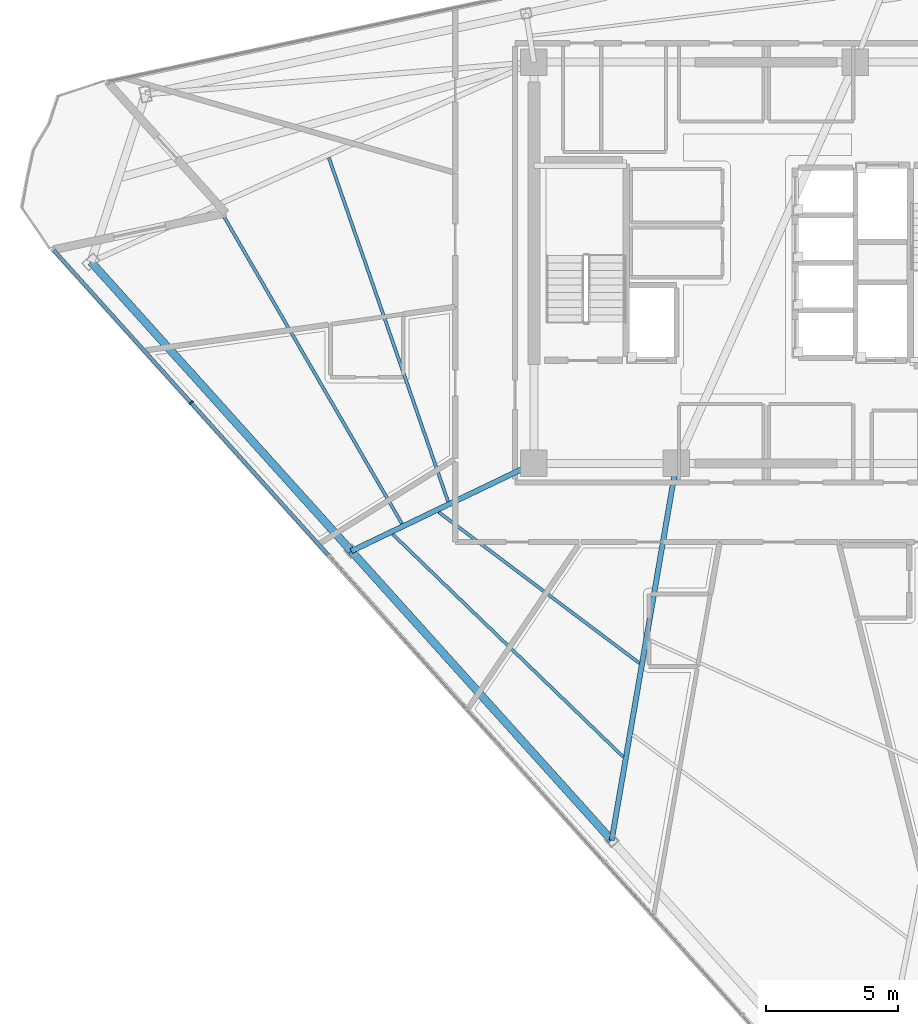
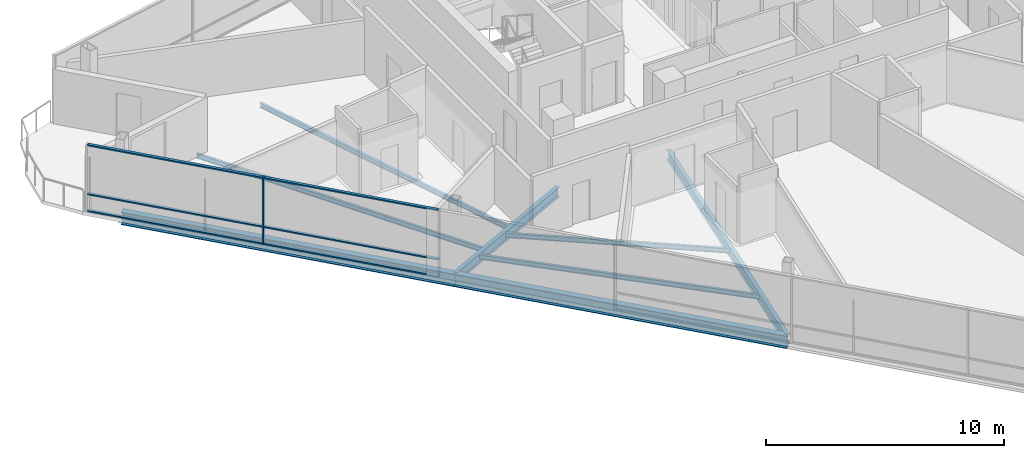
# One storey, part 3 of 17: 8 beams, 7 members, 1 element without a shape of its own.
"""IFC4 building model written with IfcOpenShell, lengths in metres."""

import ifcopenshell
import ifcopenshell.guid

model = None  # the IFC model being written
_history = None  # IfcOwnerHistory: only IFC2X3 demands one
_inside = {}  # id of a spatial element -> (the spatial element, [elements in it])
_under = {}  # id of a project, library or spatial element -> (it, [spatial elements below it])
_declared = {}  # id of a project -> (the project, [libraries it declares])
_typed = {}  # id of a type object -> (the type object, [elements of that type])
_made_of = {}  # id of a material, layer set ... -> (it, [elements and type objects made of it])


def new_model(schema):
    """Start an empty IFC model of exactly this schema.

    Asked for "IFC4X3", IfcOpenShell would pick the latest addendum, in which some entities
    have other attributes; the version numbers below select the first issue.
    IFC2X3 requires an IfcOwnerHistory on every rooted entity: one is made here for all.
    """
    global model, _history
    if schema == "IFC4X3":
        model = ifcopenshell.file(schema_version=(4, 3, 0, 0))
    else:
        model = ifcopenshell.file(schema=schema)
    _inside.clear()
    _under.clear()
    _declared.clear()
    _typed.clear()
    _made_of.clear()
    _history = None
    if model.schema == "IFC2X3":
        org = make("IfcOrganization", Name="unknown")
        user = make(
            "IfcPersonAndOrganization",
            ThePerson=make("IfcPerson", FamilyName="unknown"),
            TheOrganization=org,
        )
        app = make(
            "IfcApplication",
            ApplicationDeveloper=org,
            Version="unknown",
            ApplicationFullName="unknown",
            ApplicationIdentifier="unknown",
        )
        _history = make(
            "IfcOwnerHistory",
            OwningUser=user,
            OwningApplication=app,
            ChangeAction="ADDED",
            CreationDate=0,
        )
    return model


def make(cls, **values):
    """One entity of the class cls with the attributes given. An attribute that is None is left unset."""
    return model.create_entity(
        cls, **{name: value for name, value in values.items() if value is not None}
    )


def rooted(cls, **values):
    """An entity with a GlobalId (a new one), such as an element, a storey or a relation."""
    return make(cls, GlobalId=ifcopenshell.guid.new(), OwnerHistory=_history, **values)


def si_unit(unit_type, name, prefix=None):
    """IfcSIUnit, for example si_unit("LENGTHUNIT", "METRE", prefix="MILLI")."""
    return make("IfcSIUnit", UnitType=unit_type, Prefix=prefix, Name=name)


def assignment(units):
    """IfcUnitAssignment: the units of a project."""
    return None if units is None else make("IfcUnitAssignment", Units=units)


def point(xyz):
    """IfcCartesianPoint."""
    return None if xyz is None else make("IfcCartesianPoint", Coordinates=xyz)


def direction(xyz):
    """IfcDirection."""
    return None if xyz is None else make("IfcDirection", DirectionRatios=xyz)


def frame(location, z_axis=None, x_axis=None):
    """IfcAxis2Placement3D, a coordinate frame: its origin and axes. An axis left out is left unset."""
    return make(
        "IfcAxis2Placement3D",
        Location=point(location),
        Axis=direction(z_axis),
        RefDirection=direction(x_axis),
    )


def frame_2d(location, x_axis=None):
    """IfcAxis2Placement2D, a coordinate frame in the plane: its origin and x axis."""
    return make(
        "IfcAxis2Placement2D", Location=point(location), RefDirection=direction(x_axis)
    )


def origin():
    """The frame at (0, 0, 0) with its axes left unset."""
    return frame((0.0, 0.0, 0.0))


def origin_2d():
    """The frame at (0, 0) in the plane with its x axis left unset."""
    return frame_2d((0.0, 0.0))


def place(relative_to, where):
    """IfcLocalPlacement: puts the frame where relative to a parent placement (None: the world)."""
    return make(
        "IfcLocalPlacement", PlacementRelTo=relative_to, RelativePlacement=where
    )


def context(
    kind, dimensions, precision=None, world=None, true_north=None, identifier=None
):
    """IfcGeometricRepresentationContext, for example the 3D "Model" context."""
    return make(
        "IfcGeometricRepresentationContext",
        ContextIdentifier=identifier,
        ContextType=kind,
        CoordinateSpaceDimension=dimensions,
        Precision=precision,
        WorldCoordinateSystem=world,
        TrueNorth=true_north,
    )


def subcontext(parent, identifier, kind, view, scale=None):
    """IfcGeometricRepresentationSubContext, for example "Body" below "Model"."""
    return make(
        "IfcGeometricRepresentationSubContext",
        ContextIdentifier=identifier,
        ContextType=kind,
        ParentContext=parent,
        TargetScale=scale,
        TargetView=view,
    )


def project(units=None, contexts=None):
    """IfcProject with its units and contexts."""
    return rooted(
        "IfcProject",
        Name="project",
        RepresentationContexts=contexts,
        UnitsInContext=assignment(units),
    )


def spatial(cls, under=None, at=None, **own):
    """A site, building, storey or space (cls), placed at a placement, below another one or the project."""
    s = rooted(cls, ObjectPlacement=at, **own)
    if under is not None:
        _under.setdefault(under.id(), (under, []))[1].append(s)
    return s


def profile(cls, at=None, kind="AREA", **sizes):
    """A parametric profile (cls). Its sizes go by their IFC names, for example OverallWidth=200.0."""
    return make(cls, ProfileType=kind, Position=at, **sizes)


def rectangle(**sizes):
    """IfcRectangleProfileDef."""
    return profile("IfcRectangleProfileDef", **sizes)


def i_section(**sizes):
    """IfcIShapeProfileDef."""
    return profile("IfcIShapeProfileDef", **sizes)


def extrude(swept, where, along, depth):
    """IfcExtrudedAreaSolid: the profile swept, set in the frame where, extruded along a direction by depth."""
    return make(
        "IfcExtrudedAreaSolid",
        SweptArea=swept,
        Position=where,
        ExtrudedDirection=direction(along),
        Depth=depth,
    )


def shape(context_of_items, identifier, shape_type, items):
    """IfcShapeRepresentation: the items that make up one representation, for example the "Body"."""
    return make(
        "IfcShapeRepresentation",
        ContextOfItems=context_of_items,
        RepresentationIdentifier=identifier,
        RepresentationType=shape_type,
        Items=items,
    )


def material(Name=None, Category=None):
    """IfcMaterial."""
    return make("IfcMaterial", Name=Name, Category=Category)


def layer(
    of_material, thickness, ventilated=None, Name=None, Category=None, Priority=None
):
    """IfcMaterialLayer: one layer of a wall or slab, of a material (None: an air gap)."""
    return make(
        "IfcMaterialLayer",
        Material=of_material,
        LayerThickness=thickness,
        IsVentilated=ventilated,
        Name=Name,
        Category=Category,
        Priority=Priority,
    )


def layer_set(layers, Name=None):
    """IfcMaterialLayerSet."""
    return make("IfcMaterialLayerSet", MaterialLayers=layers, LayerSetName=Name)


def material_profile(
    of_material, cross_section, Name=None, Category=None, Priority=None
):
    """IfcMaterialProfile: a cross section and its material."""
    return make(
        "IfcMaterialProfile",
        Name=Name,
        Material=of_material,
        Profile=cross_section,
        Priority=Priority,
        Category=Category,
    )


def profile_set(profiles, Name=None, composite=None):
    """IfcMaterialProfileSet."""
    return make(
        "IfcMaterialProfileSet",
        Name=Name,
        MaterialProfiles=profiles,
        CompositeProfile=composite,
    )


def made_of(thing, what):
    """Note that an element or type object is made of a material, layer set ...; save() writes the relation."""
    if what is not None:
        _made_of.setdefault(what.id(), (what, []))[1].append(thing)
    return thing


def type_object(cls, material=None, **own):
    """A type object (cls), such as IfcWallType, which elements share."""
    return made_of(rooted(cls, **own), material)


def element(
    cls,
    number,
    at=None,
    inside=None,
    cuts=None,
    type_object=None,
    material=None,
    context=None,
    identifier="Body",
    shape_type=None,
    held_by="IfcProductDefinitionShape",
    body=None,
    shapes=None,
    **own,
):
    """One element of the class cls, such as IfcWall. Its Tag is "e" and its number.

    at: its placement. inside: the storey or other place that contains it. cuts: it is an
    opening in that element (IfcRelVoidsElement). A single representation is given by context,
    identifier, shape_type and body (its items); several are given by shapes. held_by: the class
    of the entity that holds the representations. save() writes the other relations.
    """
    e = rooted(cls, Tag="e%d" % number, ObjectPlacement=at, **own)
    if body is not None:
        shapes = [shape(context, identifier, shape_type, body)]
    if shapes is not None:
        e.Representation = make(held_by, Representations=shapes)
    if inside is not None:
        _inside.setdefault(inside.id(), (inside, []))[1].append(e)
    if cuts is not None:
        rooted(
            "IfcRelVoidsElement", RelatingBuildingElement=cuts, RelatedOpeningElement=e
        )
    if type_object is not None:
        _typed.setdefault(type_object.id(), (type_object, []))[1].append(e)
    return made_of(e, material)


def aggregate(whole, parts):
    """IfcRelAggregates: a whole, such as a stair, and the parts it consists of."""
    return rooted("IfcRelAggregates", RelatingObject=whole, RelatedObjects=parts)


def save(model, path):
    """Write the relations noted so far, then the file.

    IfcRelAggregates (storeys below a building ...), IfcRelContainedInSpatialStructure (elements
    in a storey), IfcRelDefinesByType, IfcRelAssociatesMaterial and IfcRelDeclares: one each for
    every whole, place, type object, material and project.
    """
    for whole, parts in _under.values():
        aggregate(whole, parts)
    for where, things in _inside.values():
        rooted(
            "IfcRelContainedInSpatialStructure",
            RelatedElements=things,
            RelatingStructure=where,
        )
    for kind, things in _typed.values():
        rooted("IfcRelDefinesByType", RelatedObjects=things, RelatingType=kind)
    for what, things in _made_of.values():
        rooted("IfcRelAssociatesMaterial", RelatedObjects=things, RelatingMaterial=what)
    for by, libraries in _declared.values():
        rooted("IfcRelDeclares", RelatingContext=by, RelatedDefinitions=libraries)
    model.write(path)


model = new_model("IFC4")

# Units and contexts
model_context = context("Model", 3, precision=1e-05, world=origin(), true_north=direction((0.0, 1.0)))
body_context = subcontext(model_context, "Body", "Model", "MODEL_VIEW")
ifc_project = project(units=[si_unit("LENGTHUNIT", "METRE"), si_unit("AREAUNIT", "SQUARE_METRE"), si_unit("VOLUMEUNIT", "CUBIC_METRE"), si_unit("PLANEANGLEUNIT", "RADIAN"), si_unit("MASSUNIT", "GRAM", prefix="KILO")], contexts=[model_context])

# Site, building, storey
site_placement = place(None, origin())
site = spatial("IfcSite", under=ifc_project, at=site_placement, CompositionType="ELEMENT")
building_placement = place(site_placement, origin())
building = spatial("IfcBuilding", under=site, at=building_placement, Name="Tharavind Bronze Gate", CompositionType="ELEMENT")
storey_placement = place(building_placement, frame((0.0, 0.0, 294.35009765625)))
storey = spatial("IfcBuildingStorey", under=building, at=storey_placement, Name="L76", CompositionType="ELEMENT", Elevation=294.35009765625)

# Curtain wall, members
ifc_material_1 = material(Name="Anodised Bronze Aluminium", Category="aluminium")
ifc_layer = layer(ifc_material_1, 0.219970703125)
ifc_layer_set = layer_set([ifc_layer], Name="Anodised Bronze Aluminium")
curtain_wall_type = type_object("IfcCurtainWallType", Name="UNITISED CURTAIN WALL CROWN", PredefinedType="USERDEFINED", material=ifc_layer_set)
curtain_wall_placement = place(storey_placement, origin())
curtain_wall = element("IfcCurtainWall", 1, at=curtain_wall_placement, inside=storey, type_object=curtain_wall_type, Name="L76 unitised curtain wall crown CW-L76-S1", ObjectType="UNITISED CURTAIN WALL", PredefinedType="USERDEFINED")
member_type_1 = type_object("IfcMemberType", Name="CURTAIN WALL BRONZE MULLION 65X180", PredefinedType="MULLION", material=ifc_material_1)
member_1_placement = place(storey_placement, frame((-21.88427734375, -5.30322265625, 0.0), z_axis=(0.0, 0.0, 1.0), x_axis=(0.669130606359, -0.743144825477, 0.0)))
member_1 = element("IfcMember", 2, at=member_1_placement, type_object=member_type_1, Name="CW-L76-S1 mullion 2", PredefinedType="MULLION", context=body_context, shape_type="SweptSolid", body=[
    extrude(rectangle(XDim=0.06494140625, YDim=0.179931640625, at=origin_2d()), origin(), (0.0, 0.0, 1.0), 3.449951171875),
])
member_type_2 = type_object("IfcMemberType", Name="CURTAIN WALL BRONZE TRANSOM 65X140", PredefinedType="USERDEFINED", material=ifc_material_1)
member_2_placement = place(storey_placement, frame((-24.494873046875, -2.404052734375, 0.0), z_axis=(0.0, 0.0, 1.0), x_axis=(0.669130606359, -0.743144825477, 0.0)))
member_2 = element("IfcMember", 3, at=member_2_placement, type_object=member_type_2, Name="CW-L76-S1 transom TB1", ObjectType="TRANSOM", PredefinedType="USERDEFINED", context=body_context, shape_type="SweptSolid", body=[
    extrude(rectangle(XDim=7.749755859375, YDim=0.139892578125, at=origin_2d()), origin(), (0.0, 0.0, 1.0), 0.06494140625),
])
member_3_placement = place(storey_placement, frame((-24.494873046875, -2.404052734375, 0.867431640625), z_axis=(0.0, 0.0, 1.0), x_axis=(0.669130606359, -0.743144825477, 0.0)))
member_3 = element("IfcMember", 4, at=member_3_placement, type_object=member_type_2, Name="CW-L76-S1 transom TS1", ObjectType="TRANSOM", PredefinedType="USERDEFINED", context=body_context, shape_type="SweptSolid", body=[
    extrude(rectangle(XDim=7.749755859375, YDim=0.139892578125, at=origin_2d()), origin(), (0.0, 0.0, 1.0), 0.06494140625),
])
member_4_placement = place(storey_placement, frame((-24.494873046875, -2.404052734375, 3.385009765625), z_axis=(0.0, 0.0, 1.0), x_axis=(0.669130606359, -0.743144825477, 0.0)))
member_4 = element("IfcMember", 5, at=member_4_placement, type_object=member_type_2, Name="CW-L76-S1 transom TT1", ObjectType="TRANSOM", PredefinedType="USERDEFINED", context=body_context, shape_type="SweptSolid", body=[
    extrude(rectangle(XDim=7.749755859375, YDim=0.139892578125, at=origin_2d()), origin(), (0.0, 0.0, 1.0), 0.06494140625),
])
member_5_placement = place(storey_placement, frame((-19.273681640625, -8.20263671875, 0.0), z_axis=(0.0, 0.0, 1.0), x_axis=(0.669130606359, -0.743144825477, 0.0)))
member_5 = element("IfcMember", 6, at=member_5_placement, type_object=member_type_2, Name="CW-L76-S1 transom TB2", ObjectType="TRANSOM", PredefinedType="USERDEFINED", context=body_context, shape_type="SweptSolid", body=[
    extrude(rectangle(XDim=7.749755859375, YDim=0.139892578125, at=origin_2d()), origin(), (0.0, 0.0, 1.0), 0.06494140625),
])
member_6_placement = place(storey_placement, frame((-19.273681640625, -8.20263671875, 0.867431640625), z_axis=(0.0, 0.0, 1.0), x_axis=(0.669130606359, -0.743144825477, 0.0)))
member_6 = element("IfcMember", 7, at=member_6_placement, type_object=member_type_2, Name="CW-L76-S1 transom TS2", ObjectType="TRANSOM", PredefinedType="USERDEFINED", context=body_context, shape_type="SweptSolid", body=[
    extrude(rectangle(XDim=7.749755859375, YDim=0.139892578125, at=origin_2d()), origin(), (0.0, 0.0, 1.0), 0.06494140625),
])
member_7_placement = place(storey_placement, frame((-19.273681640625, -8.20263671875, 3.385009765625), z_axis=(0.0, 0.0, 1.0), x_axis=(0.669130606359, -0.743144825477, 0.0)))
member_7 = element("IfcMember", 8, at=member_7_placement, type_object=member_type_2, Name="CW-L76-S1 transom TT2", ObjectType="TRANSOM", PredefinedType="USERDEFINED", context=body_context, shape_type="SweptSolid", body=[
    extrude(rectangle(XDim=7.749755859375, YDim=0.139892578125, at=origin_2d()), origin(), (0.0, 0.0, 1.0), 0.06494140625),
])
aggregate(curtain_wall, [member_1, member_2, member_3, member_4, member_5, member_6, member_7])

# Beams
ifc_material_2 = material(Name="Steel S355", Category="steel")
ifc_material_profile_1 = material_profile(ifc_material_2, i_section(OverallWidth=0.300048828125, OverallDepth=0.64990234375, WebThickness=0.01611328125, FlangeThickness=0.031005859375, at=origin_2d()), Name="HE650B")
ifc_profile_set_1 = profile_set([ifc_material_profile_1], Name="Steel S355")
beam_type_1 = type_object("IfcBeamType", Name="PRIMARY GIRDER HE650B", PredefinedType="USERDEFINED", material=ifc_profile_set_1)
beam_1_placement = place(storey_placement, frame((-25.6787109375, 0.03173828125, -0.510009765625), z_axis=(0.669125777788, -0.743149173113, 0.0), x_axis=(0.743149173113, 0.669125777788, 0.0)))
element("IfcBeam", 9, at=beam_1_placement, inside=storey, type_object=beam_type_1, Name="L76 primary girder he650b BM-L76-PRG01", ObjectType="GIRDER", PredefinedType="USERDEFINED", context=body_context, shape_type="SweptSolid", body=[
    extrude(i_section(OverallWidth=0.300048828125, OverallDepth=0.64990234375, WebThickness=0.01611328125, FlangeThickness=0.031005859375, at=origin_2d()), origin(), (0.0, 0.0, 1.0), 14.739501953125),
])
beam_2_placement = place(storey_placement, frame((-15.816162109375, -10.921875, -0.510009765625), z_axis=(0.669134014343, -0.7431417569, 0.0), x_axis=(0.7431417569, 0.669134014343, 0.0)))
element("IfcBeam", 10, at=beam_2_placement, inside=storey, type_object=beam_type_1, Name="L76 primary girder he650b BM-L76-PRG02", ObjectType="GIRDER", PredefinedType="USERDEFINED", context=body_context, shape_type="SweptSolid", body=[
    extrude(i_section(OverallWidth=0.300048828125, OverallDepth=0.64990234375, WebThickness=0.01611328125, FlangeThickness=0.031005859375, at=origin_2d()), origin(), (0.0, 0.0, 1.0), 14.7392578125),
])
ifc_material_profile_2 = material_profile(ifc_material_2, i_section(OverallWidth=0.199951171875, OverallDepth=0.5, WebThickness=0.01025390625, FlangeThickness=0.01611328125, at=origin_2d()), Name="IPE500")
ifc_profile_set_2 = profile_set([ifc_material_profile_2], Name="Steel S355")
beam_type_2 = type_object("IfcBeamType", Name="PRIMARY GIRDER IPE500", PredefinedType="USERDEFINED", material=ifc_profile_set_2)
beam_3_placement = place(storey_placement, frame((-15.816162109375, -10.921875, -0.43505859375), z_axis=(0.90142273265, 0.432940015547, 0.0), x_axis=(-0.432940015547, 0.90142273265, 0.0)))
element("IfcBeam", 11, at=beam_3_placement, inside=storey, type_object=beam_type_2, Name="L76 primary girder ipe500 BM-L76-RAD02", ObjectType="GIRDER", PredefinedType="USERDEFINED", context=body_context, shape_type="SweptSolid", body=[
    extrude(i_section(OverallWidth=0.199951171875, OverallDepth=0.5, WebThickness=0.01025390625, FlangeThickness=0.01611328125, at=origin_2d()), origin(), (0.0, 0.0, 1.0), 7.672607421875),
])
beam_4_placement = place(storey_placement, frame((-5.95361328125, -21.875244140625, -0.43505859375), z_axis=(0.169396075944, 0.985548055376, 0.0), x_axis=(-0.985548055376, 0.169396075944, 0.0)))
element("IfcBeam", 12, at=beam_4_placement, inside=storey, type_object=beam_type_2, Name="L76 primary girder ipe500 BM-L76-RAD03", ObjectType="GIRDER", PredefinedType="USERDEFINED", context=body_context, shape_type="SweptSolid", body=[
    extrude(i_section(OverallWidth=0.199951171875, OverallDepth=0.5, WebThickness=0.01025390625, FlangeThickness=0.01611328125, at=origin_2d()), origin(), (0.0, 0.0, 1.0), 14.484375),
])
ifc_material_profile_3 = material_profile(ifc_material_2, i_section(OverallWidth=0.1201171875, OverallDepth=0.239990234375, WebThickness=0.006103515625, FlangeThickness=0.009765625, at=origin_2d()), Name="IPE240")
ifc_profile_set_3 = profile_set([ifc_material_profile_3], Name="Steel S355")
beam_type_3 = type_object("IfcBeamType", Name="SECONDARY FLOOR JOIST IPE240", PredefinedType="JOIST", material=ifc_profile_set_3)
beam_5_placement = place(storey_placement, frame((-16.66796875, 3.982177734375, -0.30517578125), z_axis=(0.327619503862, -0.944809748409, 0.0), x_axis=(0.944809748409, 0.327619503862, 0.0)))
element("IfcBeam", 13, at=beam_5_placement, inside=storey, type_object=beam_type_3, Name="L76 secondary floor joist ipe240 BM-L76-JSTA01", PredefinedType="JOIST", context=body_context, shape_type="SweptSolid", body=[
    extrude(i_section(OverallWidth=0.1201171875, OverallDepth=0.239990234375, WebThickness=0.006103515625, FlangeThickness=0.009765625, at=origin_2d()), origin(), (0.0, 0.0, 1.0), 13.7890625),
])
beam_6_placement = place(storey_placement, frame((-20.84423828125, 2.09814453125, -0.30517578125), z_axis=(0.501531582807, -0.865139336435, 0.0), x_axis=(0.865139336435, 0.501531582807, 0.0)))
element("IfcBeam", 14, at=beam_6_placement, inside=storey, type_object=beam_type_3, Name="L76 secondary floor joist ipe240 BM-L76-JSTB01", PredefinedType="JOIST", context=body_context, shape_type="SweptSolid", body=[
    extrude(i_section(OverallWidth=0.1201171875, OverallDepth=0.239990234375, WebThickness=0.006103515625, FlangeThickness=0.009765625, at=origin_2d()), origin(), (0.0, 0.0, 1.0), 13.85107421875),
])
beam_7_placement = place(storey_placement, frame((-12.507080078125, -9.447265625, -0.30517578125), z_axis=(0.799041209175, -0.601276264325, 0.0), x_axis=(0.601276264325, 0.799041209175, 0.0)))
element("IfcBeam", 15, at=beam_7_placement, inside=storey, type_object=beam_type_3, Name="L76 secondary floor joist ipe240 BM-L76-JSTA02", PredefinedType="JOIST", context=body_context, shape_type="SweptSolid", body=[
    extrude(i_section(OverallWidth=0.1201171875, OverallDepth=0.239990234375, WebThickness=0.006103515625, FlangeThickness=0.009765625, at=origin_2d()), origin(), (0.0, 0.0, 1.0), 9.512939453125),
])
beam_8_placement = place(storey_placement, frame((-14.24951171875, -10.284423828125, -0.30517578125), z_axis=(0.719295778134, -0.694703953896, 0.0), x_axis=(0.694703953896, 0.719295778134, 0.0)))
element("IfcBeam", 16, at=beam_8_placement, inside=storey, type_object=beam_type_3, Name="L76 secondary floor joist ipe240 BM-L76-JSTB02", PredefinedType="JOIST", context=body_context, shape_type="SweptSolid", body=[
    extrude(i_section(OverallWidth=0.1201171875, OverallDepth=0.239990234375, WebThickness=0.006103515625, FlangeThickness=0.009765625, at=origin_2d()), origin(), (0.0, 0.0, 1.0), 12.1416015625),
])

save(model, "model.ifc")
